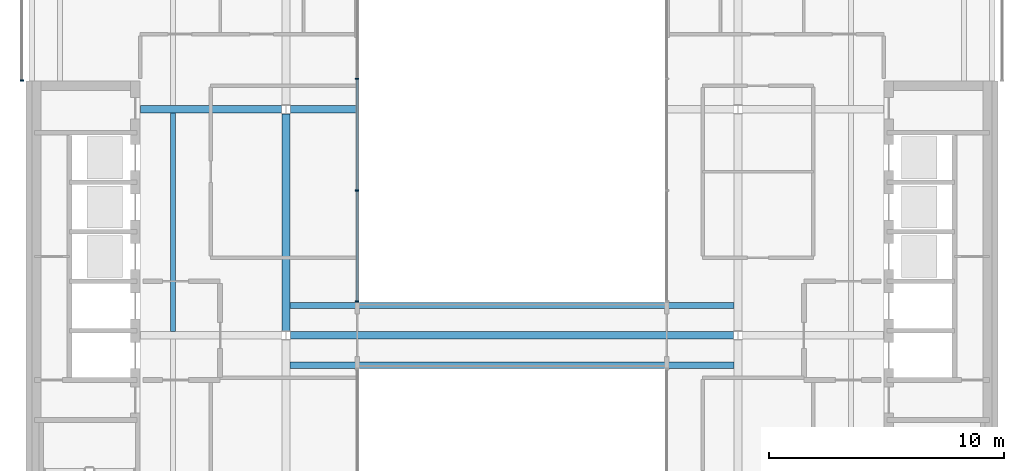
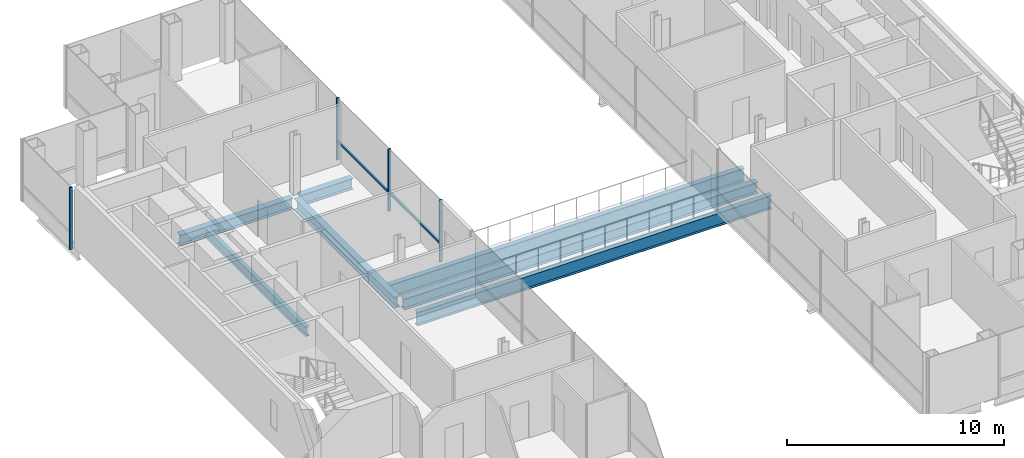
# One storey, part 5 of 15: 7 beams, 6 members, 2 elements without a shape of their own.
"""IFC4 building model written with IfcOpenShell, lengths in metres."""

from ifc_helpers import new_model, si_unit, direction, frame, origin, origin_2d, place, context, subcontext, project, spatial, rectangle, i_section, extrude, material, material_profile, profile_set, type_object, element, aggregate, save


model = new_model("IFC4")

# Units and contexts
model_context = context("Model", 3, precision=1e-05, world=origin(), true_north=direction((0.0, 1.0)))
body_context = subcontext(model_context, "Body", "Model", "MODEL_VIEW")
ifc_project = project(units=[si_unit("LENGTHUNIT", "METRE"), si_unit("AREAUNIT", "SQUARE_METRE"), si_unit("VOLUMEUNIT", "CUBIC_METRE"), si_unit("PLANEANGLEUNIT", "RADIAN"), si_unit("MASSUNIT", "GRAM", prefix="KILO")], contexts=[model_context])

# Site, building, storey
site_placement = place(None, origin())
site = spatial("IfcSite", under=ifc_project, at=site_placement, CompositionType="ELEMENT")
building_placement = place(site_placement, origin())
building = spatial("IfcBuilding", under=site, at=building_placement, Name="Cobrizo Arcos Hotel Tower", CompositionType="ELEMENT")
storey_placement = place(building_placement, frame((0.0, 0.0, 222.5)))
storey = spatial("IfcBuildingStorey", under=building, at=storey_placement, Name="L58", CompositionType="ELEMENT", Elevation=222.5)

# Curtain wall, member
ifc_material_1 = material(Name="Aluminium 6063-T6 anodised bronze", Category="aluminium")
curtain_wall_type_1 = type_object("IfcCurtainWallType", Name="CW-A guest facade", PredefinedType="NOTDEFINED", material=ifc_material_1)
curtain_wall_1_placement = place(storey_placement, origin())
curtain_wall_1 = element("IfcCurtainWall", 1, at=curtain_wall_1_placement, inside=storey, type_object=curtain_wall_type_1, Name="CW-A L58 W face", PredefinedType="NOTDEFINED")
ifc_material_profile_1 = material_profile(ifc_material_1, rectangle(XDim=0.14990234375, YDim=0.06005859375, at=origin_2d()), Name="CW-A mullion 150x60")
ifc_profile_set_1 = profile_set([ifc_material_profile_1], Name="Aluminium 6063-T6 anodised bronze")
member_type_1 = type_object("IfcMemberType", Name="CW-A mullion 150x60", PredefinedType="MULLION", material=ifc_profile_set_1)
member_1_placement = place(storey_placement, frame((-20.824951171875, 10.830078125, 0.0), z_axis=(0.0, 0.0, 1.0), x_axis=(-1.0, 0.0, 0.0)))
member_1 = element("IfcMember", 2, at=member_1_placement, type_object=member_type_1, Name="CW-A mullion 2", PredefinedType="MULLION", context=body_context, shape_type="SweptSolid", body=[
    extrude(rectangle(XDim=0.14990234375, YDim=0.06005859375, at=origin_2d()), origin(), (0.0, 0.0, 1.0), 3.5),
])
aggregate(curtain_wall_1, [member_1])

# Curtain wall, members
curtain_wall_type_2 = type_object("IfcCurtainWallType", Name="CW-F void screen", PredefinedType="NOTDEFINED", material=ifc_material_1)
curtain_wall_2_placement = place(storey_placement, origin())
curtain_wall_2 = element("IfcCurtainWall", 3, at=curtain_wall_2_placement, inside=storey, type_object=curtain_wall_type_2, Name="CW-F L58 void screen C", PredefinedType="NOTDEFINED")
ifc_material_profile_2 = material_profile(ifc_material_1, rectangle(XDim=0.14990234375, YDim=0.06005859375, at=origin_2d()), Name="CW-F mullion 150x60")
ifc_profile_set_2 = profile_set([ifc_material_profile_2], Name="Aluminium 6063-T6 anodised bronze")
member_type_2 = type_object("IfcMemberType", Name="CW-F mullion 150x60", PredefinedType="MULLION", material=ifc_profile_set_2)
member_2_placement = place(storey_placement, frame((-6.574951171875, 10.89990234375, 0.0), z_axis=(0.0, 0.0, 1.0), x_axis=(-1.0, 0.0, 0.0)))
member_2 = element("IfcMember", 4, at=member_2_placement, type_object=member_type_2, Name="CW-F mullion 3", PredefinedType="MULLION", context=body_context, shape_type="SweptSolid", body=[
    extrude(rectangle(XDim=0.14990234375, YDim=0.06005859375, at=origin_2d()), origin(), (0.0, 0.0, 1.0), 3.5),
])
member_3_placement = place(storey_placement, frame((-6.574951171875, 6.14990234375, 0.0), z_axis=(0.0, 0.0, 1.0), x_axis=(-1.0, 0.0, 0.0)))
member_3 = element("IfcMember", 5, at=member_3_placement, type_object=member_type_2, Name="CW-F mullion 4", PredefinedType="MULLION", context=body_context, shape_type="SweptSolid", body=[
    extrude(rectangle(XDim=0.14990234375, YDim=0.06005859375, at=origin_2d()), origin(), (0.0, 0.0, 1.0), 3.5),
])
member_4_placement = place(storey_placement, frame((-6.574951171875, 1.429931640625, 0.0), z_axis=(0.0, 0.0, 1.0), x_axis=(-1.0, 0.0, 0.0)))
member_4 = element("IfcMember", 6, at=member_4_placement, type_object=member_type_2, Name="CW-F mullion 5", PredefinedType="MULLION", context=body_context, shape_type="SweptSolid", body=[
    extrude(rectangle(XDim=0.14990234375, YDim=0.06005859375, at=origin_2d()), origin(), (0.0, 0.0, 1.0), 3.5),
])
ifc_material_profile_3 = material_profile(ifc_material_1, rectangle(XDim=0.10009765625, YDim=0.1201171875, at=origin_2d()), Name="CW-F transom 120x100")
ifc_profile_set_3 = profile_set([ifc_material_profile_3], Name="Aluminium 6063-T6 anodised bronze")
member_type_3 = type_object("IfcMemberType", Name="CW-F transom 120x100", PredefinedType="USERDEFINED", material=ifc_profile_set_3)
member_5_placement = place(storey_placement, frame((-6.574951171875, 10.8701171875, 1.050048828125), z_axis=(0.0, -1.0, 0.0), x_axis=(1.0, 0.0, 0.0)))
member_5 = element("IfcMember", 7, at=member_5_placement, type_object=member_type_3, Name="CW-F transom 2710", ObjectType="TRANSOM", PredefinedType="USERDEFINED", context=body_context, shape_type="SweptSolid", body=[
    extrude(rectangle(XDim=0.10009765625, YDim=0.1201171875, at=origin_2d()), origin(), (0.0, 0.0, 1.0), 4.690185546875),
])
member_6_placement = place(storey_placement, frame((-6.574951171875, 6.1201171875, 1.050048828125), z_axis=(0.0, -1.0, 0.0), x_axis=(1.0, 0.0, 0.0)))
member_6 = element("IfcMember", 8, at=member_6_placement, type_object=member_type_3, Name="CW-F transom 2711", ObjectType="TRANSOM", PredefinedType="USERDEFINED", context=body_context, shape_type="SweptSolid", body=[
    extrude(rectangle(XDim=0.10009765625, YDim=0.1201171875, at=origin_2d()), origin(), (0.0, 0.0, 1.0), 4.66015625),
])
aggregate(curtain_wall_2, [member_2, member_3, member_4, member_5, member_6])

# Beams
ifc_material_2 = material(Name="Steel ASTM A992 Grade 50", Category="steel")
ifc_material_profile_4 = material_profile(ifc_material_2, i_section(OverallWidth=0.209228515625, OverallDepth=0.533447265625, WebThickness=0.01025390625, FlangeThickness=0.015625, at=origin_2d()), Name="W21X62")
ifc_profile_set_4 = profile_set([ifc_material_profile_4], Name="Steel ASTM A992 Grade 50")
beam_type_1 = type_object("IfcBeamType", Name="W21X62 joist", PredefinedType="JOIST", material=ifc_profile_set_4)
beam_1_placement = place(storey_placement, frame((-14.39990234375, 0.163818359375, -0.416748046875), z_axis=(0.0, 1.0, 0.0), x_axis=(-1.0, 0.0, 0.0)))
element("IfcBeam", 9, at=beam_1_placement, inside=storey, type_object=beam_type_1, Name="Floor joist J1, L58, no. 005", PredefinedType="JOIST", context=body_context, shape_type="SweptSolid", body=[
    extrude(i_section(OverallWidth=0.209228515625, OverallDepth=0.533447265625, WebThickness=0.01025390625, FlangeThickness=0.015625, at=origin_2d()), origin(), (0.0, 0.0, 1.0), 9.272216796875),
])
ifc_material_profile_5 = material_profile(ifc_material_2, i_section(OverallWidth=0.32763671875, OverallDepth=0.622314453125, WebThickness=0.015380859375, FlangeThickness=0.0244140625, at=origin_2d()), Name="W24X131")
ifc_profile_set_5 = profile_set([ifc_material_profile_5], Name="Steel ASTM A992 Grade 50")
beam_type_2 = type_object("IfcBeamType", Name="W24X131 girder", PredefinedType="BEAM", material=ifc_profile_set_5)
beam_2_placement = place(storey_placement, frame((-9.413330078125, 0.0, -0.461181640625), z_axis=(1.0, 0.0, 0.0), x_axis=(0.0, 1.0, 0.0)))
element("IfcBeam", 10, at=beam_2_placement, inside=storey, type_object=beam_type_2, Name="Floor girder G1, L58, no. 006", PredefinedType="BEAM", context=body_context, shape_type="SweptSolid", body=[
    extrude(i_section(OverallWidth=0.32763671875, OverallDepth=0.622314453125, WebThickness=0.015380859375, FlangeThickness=0.0244140625, at=origin_2d()), origin(), (0.0, 0.0, 1.0), 18.82666015625),
])
beam_3_placement = place(storey_placement, frame((-15.7900390625, 9.60009765625, -0.461181640625), z_axis=(1.0, 0.0, 0.0), x_axis=(0.0, 1.0, 0.0)))
element("IfcBeam", 11, at=beam_3_placement, inside=storey, type_object=beam_type_2, Name="Floor girder G1, L58, no. 008", PredefinedType="BEAM", context=body_context, shape_type="SweptSolid", body=[
    extrude(i_section(OverallWidth=0.32763671875, OverallDepth=0.622314453125, WebThickness=0.015380859375, FlangeThickness=0.0244140625, at=origin_2d()), origin(), (0.0, 0.0, 1.0), 6.00341796875),
])
beam_4_placement = place(storey_placement, frame((-9.413330078125, 9.60009765625, -0.461181640625), z_axis=(1.0, 0.0, 0.0), x_axis=(0.0, 1.0, 0.0)))
element("IfcBeam", 12, at=beam_4_placement, inside=storey, type_object=beam_type_2, Name="Floor girder G1, L58, no. 009", PredefinedType="BEAM", context=body_context, shape_type="SweptSolid", body=[
    extrude(i_section(OverallWidth=0.32763671875, OverallDepth=0.622314453125, WebThickness=0.015380859375, FlangeThickness=0.0244140625, at=origin_2d()), origin(), (0.0, 0.0, 1.0), 2.8232421875),
])
beam_5_placement = place(storey_placement, frame((-9.60009765625, 0.186767578125, -0.461181640625), z_axis=(0.0, 1.0, 0.0), x_axis=(-1.0, 0.0, 0.0)))
element("IfcBeam", 13, at=beam_5_placement, inside=storey, type_object=beam_type_2, Name="Floor girder G1, L58, no. 014", PredefinedType="BEAM", context=body_context, shape_type="SweptSolid", body=[
    extrude(i_section(OverallWidth=0.32763671875, OverallDepth=0.622314453125, WebThickness=0.015380859375, FlangeThickness=0.0244140625, at=origin_2d()), origin(), (0.0, 0.0, 1.0), 9.2265625),
])
ifc_material_profile_6 = material_profile(ifc_material_2, i_section(OverallWidth=0.2666015625, OverallDepth=0.7568359375, WebThickness=0.013916015625, FlangeThickness=0.019287109375, at=origin_2d()), Name="W30X108")
ifc_profile_set_6 = profile_set([ifc_material_profile_6], Name="Steel ASTM A992 Grade 50")
beam_type_3 = type_object("IfcBeamType", Name="W30X108 bridge girder", PredefinedType="BEAM", material=ifc_profile_set_6)
for number, where, z_axis, x_axis, name in (
    (14, (-9.43603515625, -1.2666015625, -0.5283203125), (1.0, 0.0, 0.0), (0.0, 1.0, 0.0), "Bridge girder BG1, L58, no. 001"),
    (15, (-9.43603515625, 1.2666015625, -0.5283203125), (1.0, 0.0, 0.0), (0.0, 1.0, 0.0), "Bridge girder BG1, L58, no. 002"),
):
    element("IfcBeam", number, at=place(storey_placement, frame(where, z_axis=z_axis, x_axis=x_axis)), inside=storey, type_object=beam_type_3, Name=name, PredefinedType="BEAM", context=body_context, shape_type="SweptSolid", body=[
        extrude(i_section(OverallWidth=0.2666015625, OverallDepth=0.7568359375, WebThickness=0.013916015625, FlangeThickness=0.019287109375, at=origin_2d()), origin(), (0.0, 0.0, 1.0), 18.8720703125),
    ])

save(model, "model.ifc")
